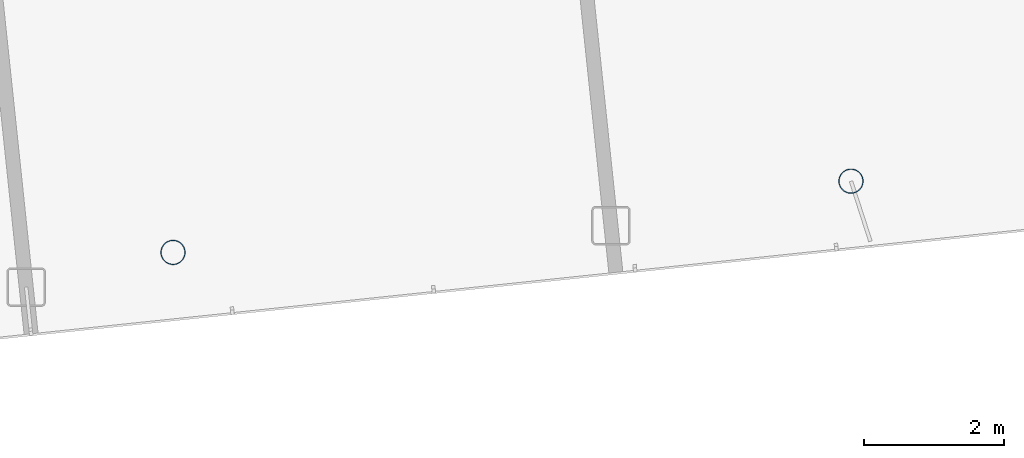
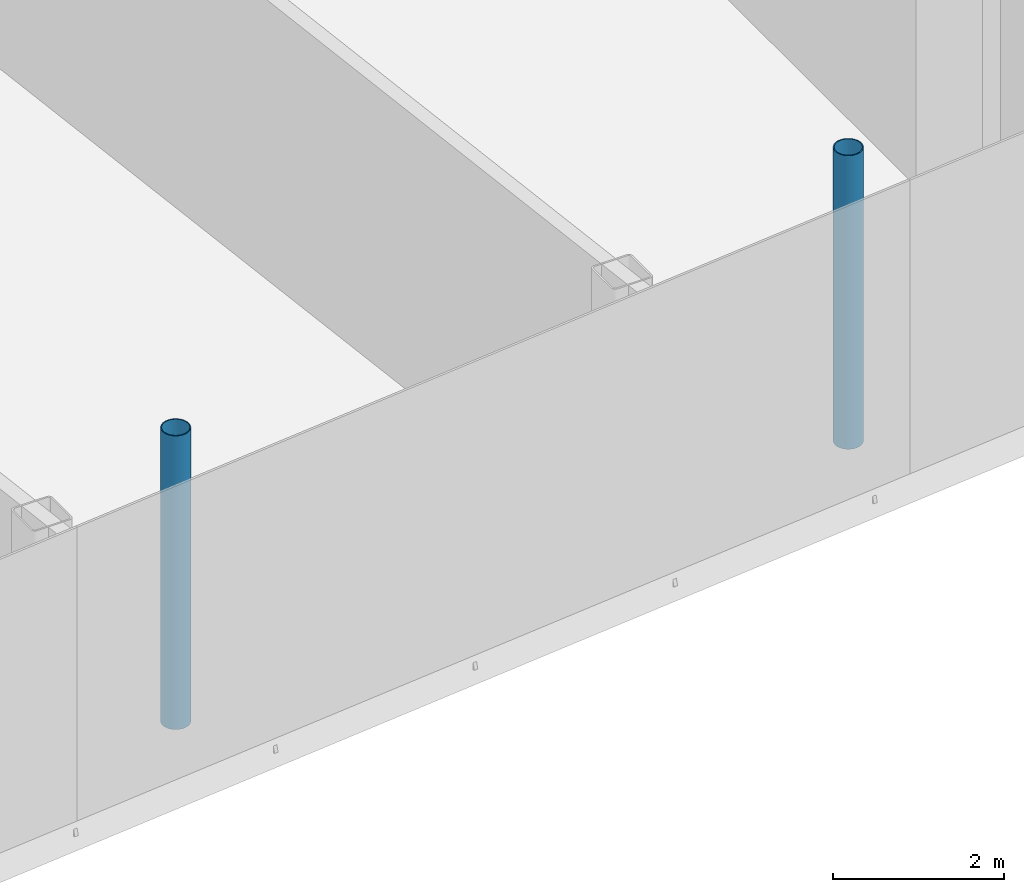
# One storey, part 4 of 28: 2 members.
"""IFC4 building model written with IfcOpenShell, lengths in metres."""

from ifc_helpers import new_model, si_unit, direction, frame, origin, origin_2d, place, context, subcontext, project, spatial, hollow_circle, extrude, material, material_profile, profile_set, type_object, element, save


model = new_model("IFC4")

# Units and contexts
model_context = context("Model", 3, precision=1e-05, world=origin(), true_north=direction((0.0, 1.0)))
body_context = subcontext(model_context, "Body", "Model", "MODEL_VIEW")
ifc_project = project(units=[si_unit("LENGTHUNIT", "METRE"), si_unit("AREAUNIT", "SQUARE_METRE"), si_unit("VOLUMEUNIT", "CUBIC_METRE"), si_unit("PLANEANGLEUNIT", "RADIAN"), si_unit("MASSUNIT", "GRAM", prefix="KILO")], contexts=[model_context])

# Site, building, storey
site_placement = place(None, origin())
site = spatial("IfcSite", under=ifc_project, at=site_placement, CompositionType="ELEMENT")
building_placement = place(site_placement, origin())
building = spatial("IfcBuilding", under=site, at=building_placement, Name="Hakoniwa Tower and Hamabe Station Hall", CompositionType="ELEMENT")
storey_placement = place(building_placement, frame((0.0, 0.0, 280.800048828125)))
storey = spatial("IfcBuildingStorey", under=building, at=storey_placement, Name="L78", CompositionType="ELEMENT", Elevation=280.800048828125)

# Members
ifc_material = material(Name="Steel STK490", Category="steel")
ifc_material_profile = material_profile(ifc_material, hollow_circle(Radius=0.177734375, WallThickness=0.0126953125, at=origin_2d()), Name="CHS-355.6x12.7")
ifc_profile_set = profile_set([ifc_material_profile], Name="Steel STK490")
member_type = type_object("IfcMemberType", Name="CROWN RIB CHS-355.6x12.7", PredefinedType="MEMBER", material=ifc_profile_set)
for number, where, z_axis, x_axis, name in (
    (1, (3.832763671875, -13.51318359375, 0.0), (0.0, 0.0, 1.0), (1.0, 0.0, 0.0), "CROWN FRAME CRP-15"),
    (2, (13.518310546875, -12.495361328125, 0.0), (0.0, 0.0, 1.0), (1.0, 0.0, 0.0), "CROWN FRAME CRP-16"),
):
    element("IfcMember", number, at=place(storey_placement, frame(where, z_axis=z_axis, x_axis=x_axis)), inside=storey, type_object=member_type, Name=name, PredefinedType="MEMBER", context=body_context, shape_type="SweptSolid", body=[
        extrude(hollow_circle(Radius=0.177734375, WallThickness=0.0126953125, at=origin_2d()), origin(), (0.0, 0.0, 1.0), 4.199951171875),
    ])

save(model, "model.ifc")
